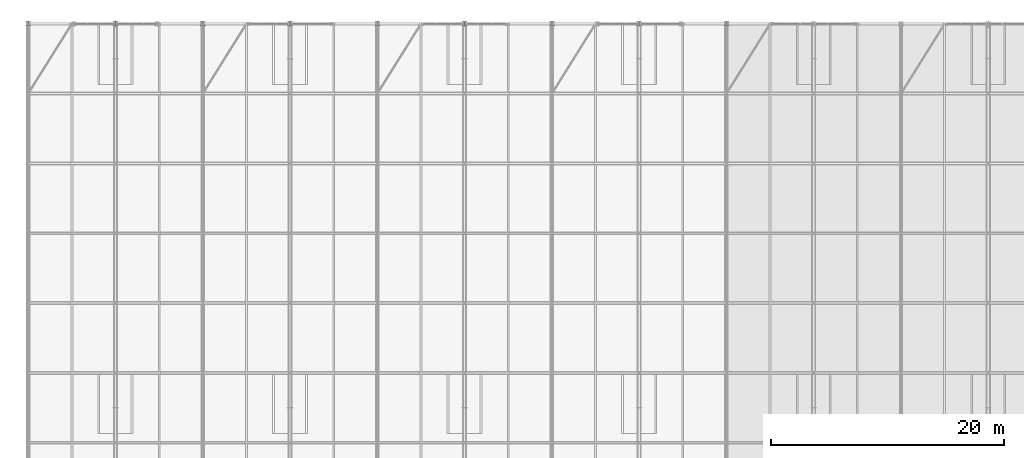
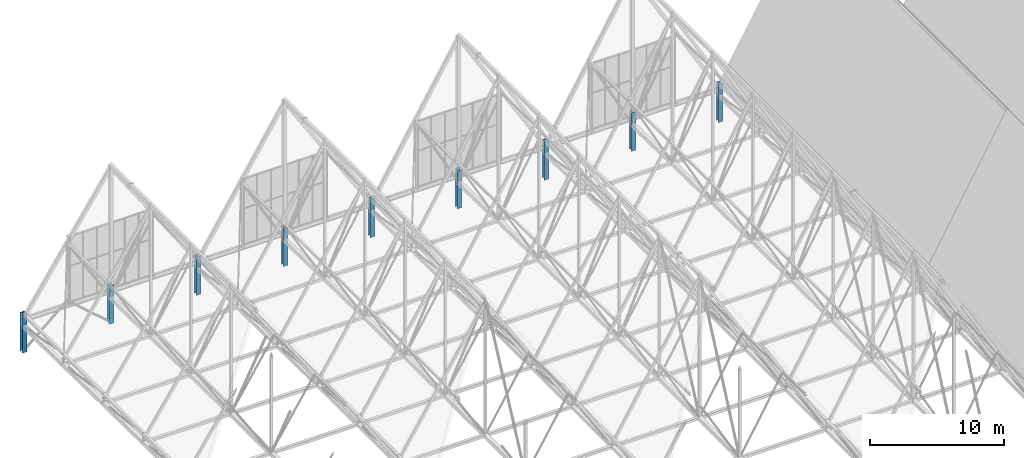
# One storey, part 8 of 324: 9 columns.
"""IFC4 building model written with IfcOpenShell, lengths in metres."""

import ifcopenshell
import ifcopenshell.guid

model = None  # the IFC model being written
_history = None  # IfcOwnerHistory: only IFC2X3 demands one
_inside = {}  # id of a spatial element -> (the spatial element, [elements in it])
_under = {}  # id of a project, library or spatial element -> (it, [spatial elements below it])
_declared = {}  # id of a project -> (the project, [libraries it declares])
_typed = {}  # id of a type object -> (the type object, [elements of that type])
_made_of = {}  # id of a material, layer set ... -> (it, [elements and type objects made of it])


def new_model(schema):
    """Start an empty IFC model of exactly this schema.

    Asked for "IFC4X3", IfcOpenShell would pick the latest addendum, in which some entities
    have other attributes; the version numbers below select the first issue.
    IFC2X3 requires an IfcOwnerHistory on every rooted entity: one is made here for all.
    """
    global model, _history
    if schema == "IFC4X3":
        model = ifcopenshell.file(schema_version=(4, 3, 0, 0))
    else:
        model = ifcopenshell.file(schema=schema)
    _inside.clear()
    _under.clear()
    _declared.clear()
    _typed.clear()
    _made_of.clear()
    _history = None
    if model.schema == "IFC2X3":
        org = make("IfcOrganization", Name="unknown")
        user = make(
            "IfcPersonAndOrganization",
            ThePerson=make("IfcPerson", FamilyName="unknown"),
            TheOrganization=org,
        )
        app = make(
            "IfcApplication",
            ApplicationDeveloper=org,
            Version="unknown",
            ApplicationFullName="unknown",
            ApplicationIdentifier="unknown",
        )
        _history = make(
            "IfcOwnerHistory",
            OwningUser=user,
            OwningApplication=app,
            ChangeAction="ADDED",
            CreationDate=0,
        )
    return model


def make(cls, **values):
    """One entity of the class cls with the attributes given. An attribute that is None is left unset."""
    return model.create_entity(
        cls, **{name: value for name, value in values.items() if value is not None}
    )


def rooted(cls, **values):
    """An entity with a GlobalId (a new one), such as an element, a storey or a relation."""
    return make(cls, GlobalId=ifcopenshell.guid.new(), OwnerHistory=_history, **values)


def si_unit(unit_type, name, prefix=None):
    """IfcSIUnit, for example si_unit("LENGTHUNIT", "METRE", prefix="MILLI")."""
    return make("IfcSIUnit", UnitType=unit_type, Prefix=prefix, Name=name)


def assignment(units):
    """IfcUnitAssignment: the units of a project."""
    return None if units is None else make("IfcUnitAssignment", Units=units)


def point(xyz):
    """IfcCartesianPoint."""
    return None if xyz is None else make("IfcCartesianPoint", Coordinates=xyz)


def direction(xyz):
    """IfcDirection."""
    return None if xyz is None else make("IfcDirection", DirectionRatios=xyz)


def frame(location, z_axis=None, x_axis=None):
    """IfcAxis2Placement3D, a coordinate frame: its origin and axes. An axis left out is left unset."""
    return make(
        "IfcAxis2Placement3D",
        Location=point(location),
        Axis=direction(z_axis),
        RefDirection=direction(x_axis),
    )


def frame_2d(location, x_axis=None):
    """IfcAxis2Placement2D, a coordinate frame in the plane: its origin and x axis."""
    return make(
        "IfcAxis2Placement2D", Location=point(location), RefDirection=direction(x_axis)
    )


def origin():
    """The frame at (0, 0, 0) with its axes left unset."""
    return frame((0.0, 0.0, 0.0))


def origin_2d():
    """The frame at (0, 0) in the plane with its x axis left unset."""
    return frame_2d((0.0, 0.0))


def place(relative_to, where):
    """IfcLocalPlacement: puts the frame where relative to a parent placement (None: the world)."""
    return make(
        "IfcLocalPlacement", PlacementRelTo=relative_to, RelativePlacement=where
    )


def context(
    kind, dimensions, precision=None, world=None, true_north=None, identifier=None
):
    """IfcGeometricRepresentationContext, for example the 3D "Model" context."""
    return make(
        "IfcGeometricRepresentationContext",
        ContextIdentifier=identifier,
        ContextType=kind,
        CoordinateSpaceDimension=dimensions,
        Precision=precision,
        WorldCoordinateSystem=world,
        TrueNorth=true_north,
    )


def subcontext(parent, identifier, kind, view, scale=None):
    """IfcGeometricRepresentationSubContext, for example "Body" below "Model"."""
    return make(
        "IfcGeometricRepresentationSubContext",
        ContextIdentifier=identifier,
        ContextType=kind,
        ParentContext=parent,
        TargetScale=scale,
        TargetView=view,
    )


def project(units=None, contexts=None):
    """IfcProject with its units and contexts."""
    return rooted(
        "IfcProject",
        Name="project",
        RepresentationContexts=contexts,
        UnitsInContext=assignment(units),
    )


def spatial(cls, under=None, at=None, **own):
    """A site, building, storey or space (cls), placed at a placement, below another one or the project."""
    s = rooted(cls, ObjectPlacement=at, **own)
    if under is not None:
        _under.setdefault(under.id(), (under, []))[1].append(s)
    return s


def profile(cls, at=None, kind="AREA", **sizes):
    """A parametric profile (cls). Its sizes go by their IFC names, for example OverallWidth=200.0."""
    return make(cls, ProfileType=kind, Position=at, **sizes)


def i_section(**sizes):
    """IfcIShapeProfileDef."""
    return profile("IfcIShapeProfileDef", **sizes)


def extrude(swept, where, along, depth):
    """IfcExtrudedAreaSolid: the profile swept, set in the frame where, extruded along a direction by depth."""
    return make(
        "IfcExtrudedAreaSolid",
        SweptArea=swept,
        Position=where,
        ExtrudedDirection=direction(along),
        Depth=depth,
    )


def shape(context_of_items, identifier, shape_type, items):
    """IfcShapeRepresentation: the items that make up one representation, for example the "Body"."""
    return make(
        "IfcShapeRepresentation",
        ContextOfItems=context_of_items,
        RepresentationIdentifier=identifier,
        RepresentationType=shape_type,
        Items=items,
    )


def material(Name=None, Category=None):
    """IfcMaterial."""
    return make("IfcMaterial", Name=Name, Category=Category)


def material_profile(
    of_material, cross_section, Name=None, Category=None, Priority=None
):
    """IfcMaterialProfile: a cross section and its material."""
    return make(
        "IfcMaterialProfile",
        Name=Name,
        Material=of_material,
        Profile=cross_section,
        Priority=Priority,
        Category=Category,
    )


def profile_set(profiles, Name=None, composite=None):
    """IfcMaterialProfileSet."""
    return make(
        "IfcMaterialProfileSet",
        Name=Name,
        MaterialProfiles=profiles,
        CompositeProfile=composite,
    )


def made_of(thing, what):
    """Note that an element or type object is made of a material, layer set ...; save() writes the relation."""
    if what is not None:
        _made_of.setdefault(what.id(), (what, []))[1].append(thing)
    return thing


def type_object(cls, material=None, **own):
    """A type object (cls), such as IfcWallType, which elements share."""
    return made_of(rooted(cls, **own), material)


def element(
    cls,
    number,
    at=None,
    inside=None,
    cuts=None,
    type_object=None,
    material=None,
    context=None,
    identifier="Body",
    shape_type=None,
    held_by="IfcProductDefinitionShape",
    body=None,
    shapes=None,
    **own,
):
    """One element of the class cls, such as IfcWall. Its Tag is "e" and its number.

    at: its placement. inside: the storey or other place that contains it. cuts: it is an
    opening in that element (IfcRelVoidsElement). A single representation is given by context,
    identifier, shape_type and body (its items); several are given by shapes. held_by: the class
    of the entity that holds the representations. save() writes the other relations.
    """
    e = rooted(cls, Tag="e%d" % number, ObjectPlacement=at, **own)
    if body is not None:
        shapes = [shape(context, identifier, shape_type, body)]
    if shapes is not None:
        e.Representation = make(held_by, Representations=shapes)
    if inside is not None:
        _inside.setdefault(inside.id(), (inside, []))[1].append(e)
    if cuts is not None:
        rooted(
            "IfcRelVoidsElement", RelatingBuildingElement=cuts, RelatedOpeningElement=e
        )
    if type_object is not None:
        _typed.setdefault(type_object.id(), (type_object, []))[1].append(e)
    return made_of(e, material)


def aggregate(whole, parts):
    """IfcRelAggregates: a whole, such as a stair, and the parts it consists of."""
    return rooted("IfcRelAggregates", RelatingObject=whole, RelatedObjects=parts)


def save(model, path):
    """Write the relations noted so far, then the file.

    IfcRelAggregates (storeys below a building ...), IfcRelContainedInSpatialStructure (elements
    in a storey), IfcRelDefinesByType, IfcRelAssociatesMaterial and IfcRelDeclares: one each for
    every whole, place, type object, material and project.
    """
    for whole, parts in _under.values():
        aggregate(whole, parts)
    for where, things in _inside.values():
        rooted(
            "IfcRelContainedInSpatialStructure",
            RelatedElements=things,
            RelatingStructure=where,
        )
    for kind, things in _typed.values():
        rooted("IfcRelDefinesByType", RelatedObjects=things, RelatingType=kind)
    for what, things in _made_of.values():
        rooted("IfcRelAssociatesMaterial", RelatedObjects=things, RelatingMaterial=what)
    for by, libraries in _declared.values():
        rooted("IfcRelDeclares", RelatingContext=by, RelatedDefinitions=libraries)
    model.write(path)


model = new_model("IFC4")

# Units and contexts
model_context = context("Model", 3, precision=1e-05, world=origin(), true_north=direction((0.0, 1.0)))
body_context = subcontext(model_context, "Body", "Model", "MODEL_VIEW")
ifc_project = project(units=[si_unit("LENGTHUNIT", "METRE"), si_unit("AREAUNIT", "SQUARE_METRE"), si_unit("VOLUMEUNIT", "CUBIC_METRE"), si_unit("PLANEANGLEUNIT", "RADIAN"), si_unit("MASSUNIT", "GRAM", prefix="KILO")], contexts=[model_context])

# Site, building, storey
site_placement = place(None, origin())
site = spatial("IfcSite", under=ifc_project, at=site_placement, CompositionType="ELEMENT")
building_placement = place(site_placement, origin())
building = spatial("IfcBuilding", under=site, at=building_placement, Name="Solvenia Promenade Tram Depot", CompositionType="ELEMENT")
storey_placement = place(building_placement, frame((0.0, 0.0, 4.5)))
storey = spatial("IfcBuildingStorey", under=building, at=storey_placement, Name="L01", CompositionType="ELEMENT", Elevation=4.5)

# Columns
ifc_material = material(Name="Structural steel ASTM A992 Gr. 50", Category="steel")
ifc_material_profile = material_profile(ifc_material, i_section(OverallWidth=0.39404296875, OverallDepth=0.375, WebThickness=0.0205078125, FlangeThickness=0.033203125, FilletRadius=0.01806640625, at=origin_2d()), Name="W360x216", Category="steel")
ifc_profile_set = profile_set([ifc_material_profile], Name="Structural steel ASTM A992 Gr. 50")
column_type = type_object("IfcColumnType", Name="Col-W360x216", PredefinedType="COLUMN", material=ifc_profile_set)
for number, where, z_axis, x_axis, name in (
    (1, (0.0, 126.0, 0.0), (0.0, 0.0, 1.0), (1.0, 0.0, 0.0), "Steel Column COL-L01-015"),
    (2, (7.5, 126.0, 0.0), (0.0, 0.0, 1.0), (1.0, 0.0, 0.0), "Steel Column COL-L01-033"),
    (3, (15.0, 126.0, 0.0), (0.0, 0.0, 1.0), (1.0, 0.0, 0.0), "Steel Column COL-L01-051"),
    (4, (22.5, 126.0, 0.0), (0.0, 0.0, 1.0), (1.0, 0.0, 0.0), "Steel Column COL-L01-069"),
    (5, (30.0, 126.0, 0.0), (0.0, 0.0, 1.0), (1.0, 0.0, 0.0), "Steel Column COL-L01-087"),
    (6, (37.5, 126.0, 0.0), (0.0, 0.0, 1.0), (1.0, 0.0, 0.0), "Steel Column COL-L01-105"),
    (7, (45.0, 126.0, 0.0), (0.0, 0.0, 1.0), (1.0, 0.0, 0.0), "Steel Column COL-L01-123"),
    (8, (52.5, 126.0, 0.0), (0.0, 0.0, 1.0), (1.0, 0.0, 0.0), "Steel Column COL-L01-137"),
    (9, (60.0, 126.0, 0.0), (0.0, 0.0, 1.0), (1.0, 0.0, 0.0), "Steel Column COL-L01-148"),
):
    element("IfcColumn", number, at=place(storey_placement, frame(where, z_axis=z_axis, x_axis=x_axis)), inside=storey, type_object=column_type, Name=name, PredefinedType="COLUMN", context=body_context, shape_type="SweptSolid", body=[
        extrude(i_section(OverallWidth=0.39404296875, OverallDepth=0.375, WebThickness=0.0205078125, FlangeThickness=0.033203125, FilletRadius=0.01806640625, at=origin_2d()), origin(), (0.0, 0.0, 1.0), 3.5),
    ])

save(model, "model.ifc")
